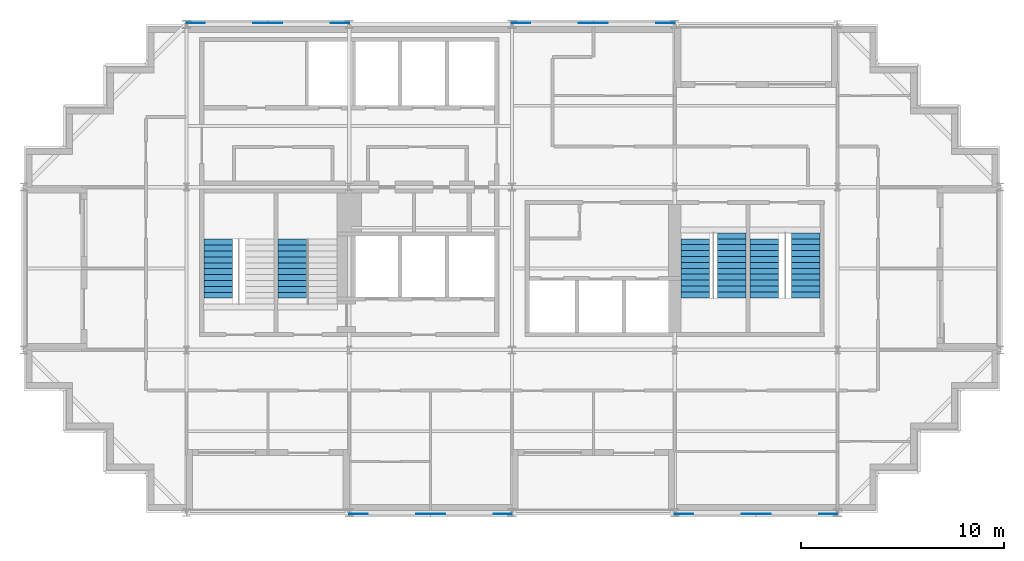
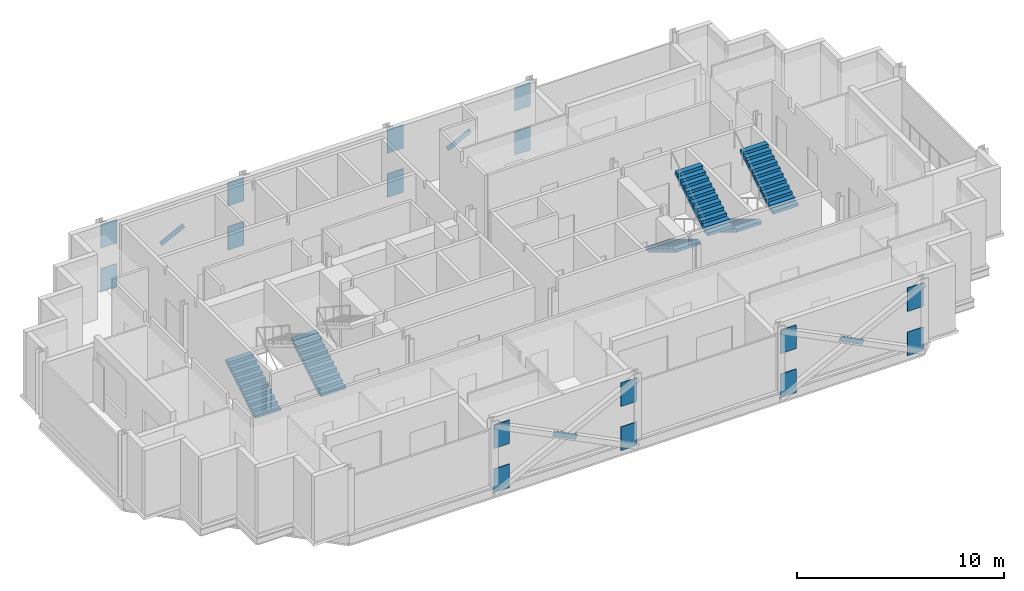
# One storey, part 8 of 9: 20 discrete accessories, 6 stair flights, 4 elements without a shape of their own.
"""IFC4 building model written with IfcOpenShell, lengths in metres."""

from ifc_helpers import new_model, si_unit, direction, frame, origin, origin_2d, place, context, subcontext, project, spatial, polyline, rectangle, outline, extrude, material, material_profile, profile_set, type_object, element, aggregate, save


model = new_model("IFC4")

# Units and contexts
model_context = context("Model", 3, precision=1e-05, world=origin(), true_north=direction((0.0, 1.0)))
body_context = subcontext(model_context, "Body", "Model", "MODEL_VIEW")
ifc_project = project(units=[si_unit("LENGTHUNIT", "METRE"), si_unit("AREAUNIT", "SQUARE_METRE"), si_unit("VOLUMEUNIT", "CUBIC_METRE"), si_unit("PLANEANGLEUNIT", "RADIAN"), si_unit("MASSUNIT", "GRAM", prefix="KILO")], contexts=[model_context])

# Site, building, storey
site_placement = place(None, origin())
site = spatial("IfcSite", under=ifc_project, at=site_placement, CompositionType="ELEMENT")
building_placement = place(site_placement, origin())
building = spatial("IfcBuilding", under=site, at=building_placement, Name="Immortelle Media Tower", CompositionType="ELEMENT")
storey_placement = place(building_placement, frame((0.0, 0.0, 287.0)))
storey = spatial("IfcBuildingStorey", under=building, at=storey_placement, Name="L63", CompositionType="ELEMENT", Elevation=287.0)

# Stair, stair flight
ifc_material_1 = material(Name="Steel ASTM A992 Gr 50", Category="steel")
stair_type = type_object("IfcStairType", Name="Stair with flights", PredefinedType="DOUBLE_RETURN_STAIR", material=ifc_material_1)
stair_1_placement = place(storey_placement, origin())
stair_1 = element("IfcStair", 1, at=stair_1_placement, inside=storey, type_object=stair_type, Name="Exit stair SW1", PredefinedType="DOUBLE_RETURN_STAIR")
stair_flight_type = type_object("IfcStairFlightType", Name="Stair flight 1400", PredefinedType="STRAIGHT", material=ifc_material_1)
stair_flight_1_placement = place(storey_placement, frame((9.550048828125, 10.5400390625, 0.0), z_axis=(0.0, 0.0, 1.0), x_axis=(0.0, 1.0, 0.0)))
stair_flight_1 = element("IfcStairFlight", 2, at=stair_flight_1_placement, type_object=stair_flight_type, Name="ST SW1 flight 1", NumberOfRisers=11, NumberOfTreads=10, PredefinedType="STRAIGHT", RiserHeight=0.173913043, TreadLength=0.29, context=body_context, shape_type="SweptSolid", body=[
    extrude(outline(polyline([(0.0, 0.0), (0.0, 0.173828125), (0.2900390625, 0.173828125), (0.2900390625, 0.347900390625), (0.580078125, 0.347900390625), (0.580078125, 0.521728515625), (0.8701171875, 0.521728515625), (0.8701171875, 0.695556640625), (1.159912109375, 0.695556640625), (1.159912109375, 0.86962890625), (1.449951171875, 0.86962890625), (1.449951171875, 1.04345703125), (1.739990234375, 1.04345703125), (1.739990234375, 1.21728515625), (2.030029296875, 1.21728515625), (2.030029296875, 1.391357421875), (2.320068359375, 1.391357421875), (2.320068359375, 1.565185546875), (2.610107421875, 1.565185546875), (2.610107421875, 1.739013671875), (2.89990234375, 1.739013671875), (2.89990234375, 1.9130859375), (2.89990234375, 1.564453125), (0.29150390625, 0.0), (0.0, 0.0)])), frame((0.0, 0.699951171875, 0.0), z_axis=(0.0, -1.0, 0.0), x_axis=(1.0, 0.0, 0.0)), (0.0, 0.0, 1.0), 1.39990234375),
])
aggregate(stair_1, [stair_flight_1])

stair_2_placement = place(storey_placement, origin())
stair_2 = element("IfcStair", 3, at=stair_2_placement, inside=storey, type_object=stair_type, Name="Exit stair SW2", PredefinedType="DOUBLE_RETURN_STAIR")
stair_flight_2_placement = place(storey_placement, frame((13.199951171875, 10.5400390625, 0.0), z_axis=(0.0, 0.0, 1.0), x_axis=(0.0, 1.0, 0.0)))
stair_flight_2 = element("IfcStairFlight", 4, at=stair_flight_2_placement, type_object=stair_flight_type, Name="ST SW2 flight 1", NumberOfRisers=11, NumberOfTreads=10, PredefinedType="STRAIGHT", RiserHeight=0.173913043, TreadLength=0.29, context=body_context, shape_type="SweptSolid", body=[
    extrude(outline(polyline([(0.0, 0.0), (0.0, 0.173828125), (0.2900390625, 0.173828125), (0.2900390625, 0.347900390625), (0.580078125, 0.347900390625), (0.580078125, 0.521728515625), (0.8701171875, 0.521728515625), (0.8701171875, 0.695556640625), (1.159912109375, 0.695556640625), (1.159912109375, 0.86962890625), (1.449951171875, 0.86962890625), (1.449951171875, 1.04345703125), (1.739990234375, 1.04345703125), (1.739990234375, 1.21728515625), (2.030029296875, 1.21728515625), (2.030029296875, 1.391357421875), (2.320068359375, 1.391357421875), (2.320068359375, 1.565185546875), (2.610107421875, 1.565185546875), (2.610107421875, 1.739013671875), (2.89990234375, 1.739013671875), (2.89990234375, 1.9130859375), (2.89990234375, 1.564453125), (0.29150390625, 0.0), (0.0, 0.0)])), frame((0.0, 0.699951171875, 0.0), z_axis=(0.0, -1.0, 0.0), x_axis=(1.0, 0.0, 0.0)), (0.0, 0.0, 1.0), 1.39990234375),
])
aggregate(stair_2, [stair_flight_2])

# Stair, stair flights
stair_3_placement = place(storey_placement, origin())
stair_3 = element("IfcStair", 5, at=stair_3_placement, inside=storey, type_object=stair_type, Name="Exit stair SE1", PredefinedType="DOUBLE_RETURN_STAIR")
stair_flight_3_placement = place(storey_placement, frame((33.0, 13.4599609375, 0.0), z_axis=(0.0, 0.0, 1.0), x_axis=(0.0, -1.0, 0.0)))
stair_flight_3 = element("IfcStairFlight", 6, at=stair_flight_3_placement, type_object=stair_flight_type, Name="ST SE1 flight 1", NumberOfRisers=11, NumberOfTreads=10, PredefinedType="STRAIGHT", RiserHeight=0.173913043, TreadLength=0.29, context=body_context, shape_type="SweptSolid", body=[
    extrude(outline(polyline([(0.0, 0.0), (0.0, 0.173828125), (0.2900390625, 0.173828125), (0.2900390625, 0.347900390625), (0.580078125, 0.347900390625), (0.580078125, 0.521728515625), (0.8701171875, 0.521728515625), (0.8701171875, 0.695556640625), (1.159912109375, 0.695556640625), (1.159912109375, 0.86962890625), (1.449951171875, 0.86962890625), (1.449951171875, 1.04345703125), (1.739990234375, 1.04345703125), (1.739990234375, 1.21728515625), (2.030029296875, 1.21728515625), (2.030029296875, 1.391357421875), (2.320068359375, 1.391357421875), (2.320068359375, 1.565185546875), (2.610107421875, 1.565185546875), (2.610107421875, 1.739013671875), (2.89990234375, 1.739013671875), (2.89990234375, 1.9130859375), (2.89990234375, 1.564453125), (0.29150390625, 0.0), (0.0, 0.0)])), frame((0.0, 0.699951171875, 0.0), z_axis=(0.0, -1.0, 0.0), x_axis=(1.0, 0.0, 0.0)), (0.0, 0.0, 1.0), 1.39990234375),
])
stair_flight_4_placement = place(storey_placement, frame((34.800048828125, 10.56005859375, 1.9130859375), z_axis=(0.0, 0.0, 1.0), x_axis=(0.0, 1.0, 0.0)))
stair_flight_4 = element("IfcStairFlight", 7, at=stair_flight_4_placement, type_object=stair_flight_type, Name="ST SE1 flight 2", NumberOfRisers=12, NumberOfTreads=11, PredefinedType="STRAIGHT", RiserHeight=0.173913043, TreadLength=0.29, context=body_context, shape_type="SweptSolid", body=[
    extrude(outline(polyline([(0.0, 0.0), (0.0, 0.173828125), (0.2900390625, 0.173828125), (0.2900390625, 0.347900390625), (0.580078125, 0.347900390625), (0.580078125, 0.521728515625), (0.8701171875, 0.521728515625), (0.8701171875, 0.695556640625), (1.159912109375, 0.695556640625), (1.159912109375, 0.86962890625), (1.449951171875, 0.86962890625), (1.449951171875, 1.04345703125), (1.739990234375, 1.04345703125), (1.739990234375, 1.21728515625), (2.030029296875, 1.21728515625), (2.030029296875, 1.391357421875), (2.320068359375, 1.391357421875), (2.320068359375, 1.565185546875), (2.610107421875, 1.565185546875), (2.610107421875, 1.739013671875), (2.89990234375, 1.739013671875), (2.89990234375, 1.9130859375), (3.18994140625, 1.9130859375), (3.18994140625, 2.0869140625), (3.18994140625, 1.73828125), (0.29150390625, 0.0), (0.0, 0.0)])), frame((0.0, 0.699951171875, 0.0), z_axis=(0.0, -1.0, 0.0), x_axis=(1.0, 0.0, 0.0)), (0.0, 0.0, 1.0), 1.39990234375),
])
aggregate(stair_3, [stair_flight_3, stair_flight_4])

stair_4_placement = place(storey_placement, origin())
stair_4 = element("IfcStair", 8, at=stair_4_placement, inside=storey, type_object=stair_type, Name="Exit stair SE2", PredefinedType="DOUBLE_RETURN_STAIR")
stair_flight_5_placement = place(storey_placement, frame((36.39990234375, 13.4599609375, 0.0), z_axis=(0.0, 0.0, 1.0), x_axis=(0.0, -1.0, 0.0)))
stair_flight_5 = element("IfcStairFlight", 9, at=stair_flight_5_placement, type_object=stair_flight_type, Name="ST SE2 flight 1", NumberOfRisers=11, NumberOfTreads=10, PredefinedType="STRAIGHT", RiserHeight=0.173913043, TreadLength=0.29, context=body_context, shape_type="SweptSolid", body=[
    extrude(outline(polyline([(0.0, 0.0), (0.0, 0.173828125), (0.2900390625, 0.173828125), (0.2900390625, 0.347900390625), (0.580078125, 0.347900390625), (0.580078125, 0.521728515625), (0.8701171875, 0.521728515625), (0.8701171875, 0.695556640625), (1.159912109375, 0.695556640625), (1.159912109375, 0.86962890625), (1.449951171875, 0.86962890625), (1.449951171875, 1.04345703125), (1.739990234375, 1.04345703125), (1.739990234375, 1.21728515625), (2.030029296875, 1.21728515625), (2.030029296875, 1.391357421875), (2.320068359375, 1.391357421875), (2.320068359375, 1.565185546875), (2.610107421875, 1.565185546875), (2.610107421875, 1.739013671875), (2.89990234375, 1.739013671875), (2.89990234375, 1.9130859375), (2.89990234375, 1.564453125), (0.29150390625, 0.0), (0.0, 0.0)])), frame((0.0, 0.699951171875, 0.0), z_axis=(0.0, -1.0, 0.0), x_axis=(1.0, 0.0, 0.0)), (0.0, 0.0, 1.0), 1.39990234375),
])
stair_flight_6_placement = place(storey_placement, frame((38.449951171875, 10.56005859375, 1.9130859375), z_axis=(0.0, 0.0, 1.0), x_axis=(0.0, 1.0, 0.0)))
stair_flight_6 = element("IfcStairFlight", 10, at=stair_flight_6_placement, type_object=stair_flight_type, Name="ST SE2 flight 2", NumberOfRisers=12, NumberOfTreads=11, PredefinedType="STRAIGHT", RiserHeight=0.173913043, TreadLength=0.29, context=body_context, shape_type="SweptSolid", body=[
    extrude(outline(polyline([(0.0, 0.0), (0.0, 0.173828125), (0.2900390625, 0.173828125), (0.2900390625, 0.347900390625), (0.580078125, 0.347900390625), (0.580078125, 0.521728515625), (0.8701171875, 0.521728515625), (0.8701171875, 0.695556640625), (1.159912109375, 0.695556640625), (1.159912109375, 0.86962890625), (1.449951171875, 0.86962890625), (1.449951171875, 1.04345703125), (1.739990234375, 1.04345703125), (1.739990234375, 1.21728515625), (2.030029296875, 1.21728515625), (2.030029296875, 1.391357421875), (2.320068359375, 1.391357421875), (2.320068359375, 1.565185546875), (2.610107421875, 1.565185546875), (2.610107421875, 1.739013671875), (2.89990234375, 1.739013671875), (2.89990234375, 1.9130859375), (3.18994140625, 1.9130859375), (3.18994140625, 2.0869140625), (3.18994140625, 1.73828125), (0.29150390625, 0.0), (0.0, 0.0)])), frame((0.0, 0.699951171875, 0.0), z_axis=(0.0, -1.0, 0.0), x_axis=(1.0, 0.0, 0.0)), (0.0, 0.0, 1.0), 1.39990234375),
])
aggregate(stair_4, [stair_flight_5, stair_flight_6])

# Discrete accessories
ifc_material_2 = material(Name="Steel ASTM A572 Gr 50", Category="steel")
ifc_material_profile_1 = material_profile(ifc_material_2, rectangle(XDim=0.02001953125, YDim=0.304931640625, at=origin_2d()), Name="PL 20 x 305")
ifc_profile_set_1 = profile_set([ifc_material_profile_1], Name="Steel ASTM A572 Gr 50")
discrete_accessory_type_1 = type_object("IfcDiscreteAccessoryType", Name="Crossing plate XP-BR7 1450 x 305 x 20", PredefinedType="USERDEFINED", material=ifc_profile_set_1)
for number, where, z_axis, x_axis, name in (
    (11, (28.6484375, 24.0625, 1.873291015625), (-0.894427191, 0.0, -0.4472135955), (0.0, -1.0, 0.0), "Crossing plate XP-BR7 of Brace D/4-5 A and Brace D/4-5 B"),
    (12, (12.6484375, 24.0625, 1.873291015625), (-0.894427191, 0.0, -0.4472135955), (0.0, -1.0, 0.0), "Crossing plate XP-BR7 of Brace D/2-3 A and Brace D/2-3 B"),
    (13, (19.3515625, -0.0625, 1.873291015625), (0.894427191, 0.0, -0.4472135955), (0.0, 1.0, 0.0), "Crossing plate XP-BR7 of Brace A/3-4 A and Brace A/3-4 B"),
    (14, (35.3515625, -0.0625, 1.873291015625), (0.894427191, 0.0, -0.4472135955), (0.0, 1.0, 0.0), "Crossing plate XP-BR7 of Brace A/5-6 A and Brace A/5-6 B"),
):
    element("IfcDiscreteAccessory", number, at=place(storey_placement, frame(where, z_axis=z_axis, x_axis=x_axis)), inside=storey, type_object=discrete_accessory_type_1, Name=name, ObjectType="CROSSING PLATE", PredefinedType="USERDEFINED", context=body_context, shape_type="SweptSolid", body=[
        extrude(rectangle(XDim=0.02001953125, YDim=0.304931640625, at=origin_2d()), origin(), (0.0, 0.0, 1.0), 1.449951171875),
    ])
ifc_material_profile_2 = material_profile(ifc_material_2, rectangle(XDim=0.031982421875, YDim=1.39990234375, at=origin_2d()), Name="PL 32 x 1400")
ifc_profile_set_2 = profile_set([ifc_material_profile_2], Name="Steel ASTM A572 Gr 50")
discrete_accessory_type_2 = type_object("IfcDiscreteAccessoryType", Name="Gusset plate GP1 900 x 1400 x 32", PredefinedType="USERDEFINED", material=ifc_profile_set_2)
for number, where, z_axis, x_axis, name in (
    (15, (16.0, -0.0625, 0.2490234375), (1.0, 0.0, 0.0), (0.0, 1.0, 0.0), "Gusset plate GP1, lower end of Brace A/3-4 A"),
    (16, (24.0, -0.0625, 2.84912109375), (-1.0, 0.0, 0.0), (0.0, -1.0, 0.0), "Gusset plate GP1, upper end of Brace A/3-4 A"),
    (17, (24.0, -0.0625, 0.2490234375), (-1.0, 0.0, 0.0), (0.0, -1.0, 0.0), "Gusset plate GP1, lower end of Brace A/3-4 B"),
    (18, (16.0, -0.0625, 2.84912109375), (1.0, 0.0, 0.0), (0.0, 1.0, 0.0), "Gusset plate GP1, upper end of Brace A/3-4 B"),
    (19, (32.0, -0.0625, 0.2490234375), (1.0, 0.0, 0.0), (0.0, 1.0, 0.0), "Gusset plate GP1, lower end of Brace A/5-6 A"),
    (20, (40.0, -0.0625, 2.84912109375), (-1.0, 0.0, 0.0), (0.0, -1.0, 0.0), "Gusset plate GP1, upper end of Brace A/5-6 A"),
    (21, (40.0, -0.0625, 0.2490234375), (-1.0, 0.0, 0.0), (0.0, -1.0, 0.0), "Gusset plate GP1, lower end of Brace A/5-6 B"),
    (22, (32.0, -0.0625, 2.84912109375), (1.0, 0.0, 0.0), (0.0, 1.0, 0.0), "Gusset plate GP1, upper end of Brace A/5-6 B"),
    (23, (32.0, 24.0625, 0.2490234375), (-1.0, 0.0, 0.0), (0.0, -1.0, 0.0), "Gusset plate GP1, lower end of Brace D/4-5 A"),
    (24, (24.0, 24.0625, 2.84912109375), (1.0, 0.0, 0.0), (0.0, 1.0, 0.0), "Gusset plate GP1, upper end of Brace D/4-5 A"),
    (25, (24.0, 24.0625, 0.2490234375), (1.0, 0.0, 0.0), (0.0, 1.0, 0.0), "Gusset plate GP1, lower end of Brace D/4-5 B"),
    (26, (32.0, 24.0625, 2.84912109375), (-1.0, 0.0, 0.0), (0.0, -1.0, 0.0), "Gusset plate GP1, upper end of Brace D/4-5 B"),
    (27, (16.0, 24.0625, 0.2490234375), (-1.0, 0.0, 0.0), (0.0, -1.0, 0.0), "Gusset plate GP1, lower end of Brace D/2-3 A"),
    (28, (8.0, 24.0625, 2.84912109375), (1.0, 0.0, 0.0), (0.0, 1.0, 0.0), "Gusset plate GP1, upper end of Brace D/2-3 A"),
    (29, (8.0, 24.0625, 0.2490234375), (1.0, 0.0, 0.0), (0.0, 1.0, 0.0), "Gusset plate GP1, lower end of Brace D/2-3 B"),
    (30, (16.0, 24.0625, 2.84912109375), (-1.0, 0.0, 0.0), (0.0, -1.0, 0.0), "Gusset plate GP1, upper end of Brace D/2-3 B"),
):
    element("IfcDiscreteAccessory", number, at=place(storey_placement, frame(where, z_axis=z_axis, x_axis=x_axis)), inside=storey, type_object=discrete_accessory_type_2, Name=name, ObjectType="GUSSET PLATE", PredefinedType="USERDEFINED", context=body_context, shape_type="SweptSolid", body=[
        extrude(rectangle(XDim=0.031982421875, YDim=1.39990234375, at=origin_2d()), origin(), (0.0, 0.0, 1.0), 0.89990234375),
    ])

save(model, "model.ifc")
